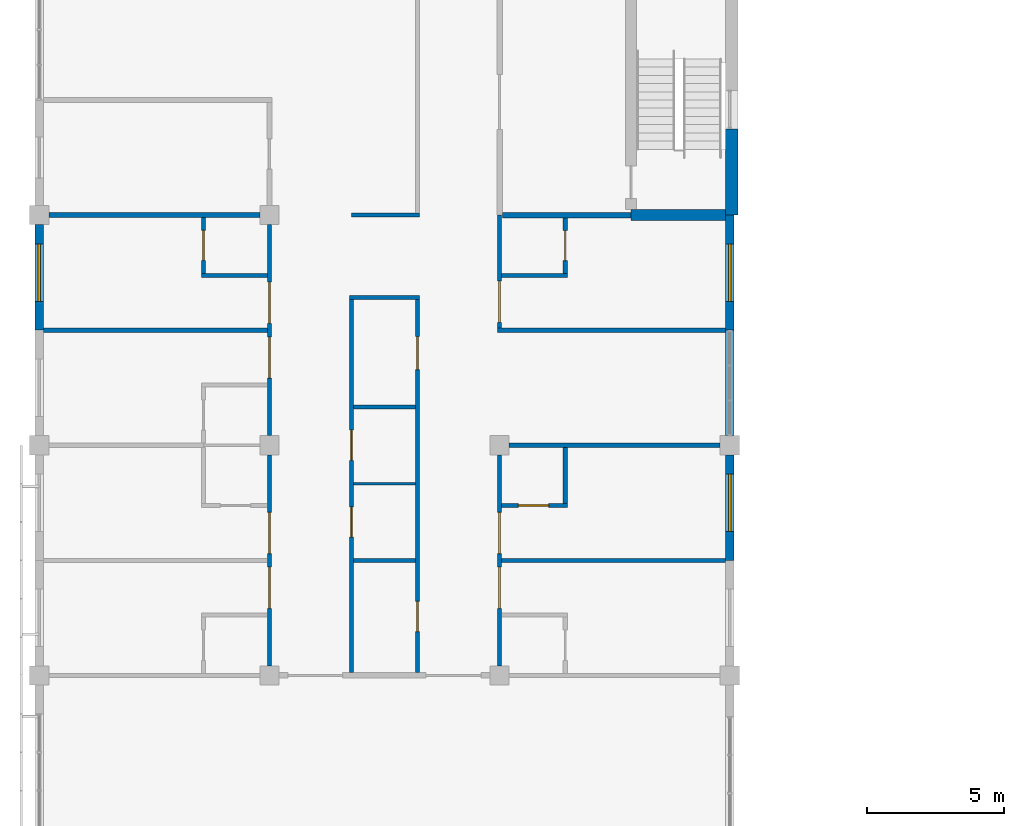
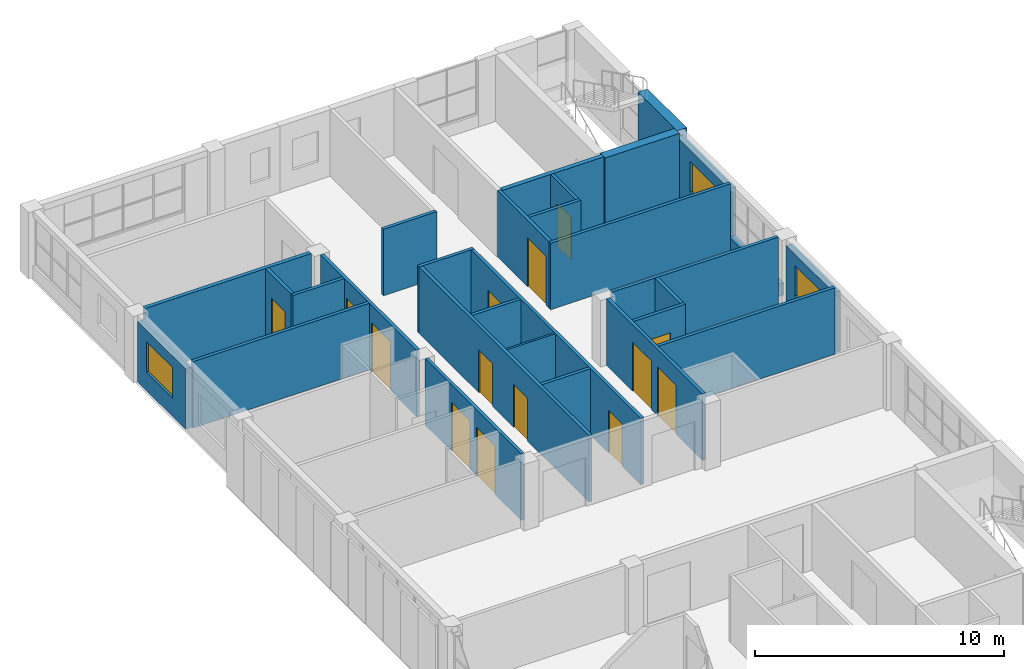
# One storey, part 42 of 61: 29 walls, 14 doors, 3 windows, 17 openings.
"""IFC4 building model written with IfcOpenShell, lengths in metres."""

from ifc_helpers import new_model, si_unit, direction, frame, frame_2d, origin, place, context, subcontext, project, spatial, rectangle, extrude, material, layer, layer_set, type_object, element, fill, save


model = new_model("IFC4")

# Units and contexts
model_context = context("Model", 3, precision=1e-05, world=origin(), true_north=direction((0.0, 1.0)))
body_context = subcontext(model_context, "Body", "Model", "MODEL_VIEW")
ifc_project = project(units=[si_unit("LENGTHUNIT", "METRE"), si_unit("AREAUNIT", "SQUARE_METRE"), si_unit("VOLUMEUNIT", "CUBIC_METRE"), si_unit("PLANEANGLEUNIT", "RADIAN"), si_unit("MASSUNIT", "GRAM", prefix="KILO")], contexts=[model_context])

# Site, building, storey
site_placement = place(None, origin())
site = spatial("IfcSite", under=ifc_project, at=site_placement, CompositionType="ELEMENT")
building_placement = place(site_placement, origin())
building = spatial("IfcBuilding", under=site, at=building_placement, Name="Yavir Park General Hospital", CompositionType="ELEMENT")
storey_placement = place(building_placement, frame((0.0, 0.0, 15.300048828125)))
storey = spatial("IfcBuildingStorey", under=building, at=storey_placement, Name="L03", CompositionType="ELEMENT", Elevation=15.300048828125)

# Walls
ifc_material_1 = material(Name="Double-leaf gypsum board acoustic partition on staggered studs")
ifc_layer_1 = layer(ifc_material_1, 0.175048828125)
ifc_layer_set_1 = layer_set([ifc_layer_1], Name="Double-leaf gypsum board acoustic partition on staggered studs")
wall_type_1 = type_object("IfcWallType", Name="Acoustic partition 175", PredefinedType="PARTITIONING", material=ifc_layer_set_1)
wall_1_placement = place(storey_placement, frame((0.35009765625, 109.199951171875, 0.0), z_axis=(0.0, 0.0, 1.0), x_axis=(1.0, 0.0, 0.0)))
element("IfcWall", 1, at=wall_1_placement, inside=storey, type_object=wall_type_1, Name="AP175 L03-142", PredefinedType="PARTITIONING", context=body_context, shape_type="SweptSolid", body=[
    extrude(rectangle(XDim=7.699951171875, YDim=0.175048828125, at=frame_2d((3.85009765625, 0.0))), origin(), (0.0, 0.0, 1.0), 3.260009765625),
])
ifc_material_2 = material(Name="Double gypsum board fire partition on steel studs", Category="steel")
ifc_layer_2 = layer(ifc_material_2, 0.199951171875)
ifc_layer_set_2 = layer_set([ifc_layer_2], Name="Double gypsum board fire partition on steel studs")
wall_type_2 = type_object("IfcWallType", Name="Fire-rated partition 200, EI 60", PredefinedType="PARTITIONING", material=ifc_layer_set_2)
wall_2_placement = place(storey_placement, frame((16.89990234375, 109.199951171875, 0.0), z_axis=(0.0, 0.0, 1.0), x_axis=(1.0, 0.0, 0.0)))
element("IfcWall", 2, at=wall_2_placement, inside=storey, type_object=wall_type_2, Name="FP20 L03-144", PredefinedType="PARTITIONING", context=body_context, shape_type="SweptSolid", body=[
    extrude(rectangle(XDim=4.7001953125, YDim=0.199951171875, at=frame_2d((2.35009765625, 0.0))), origin(), (0.0, 0.0, 1.0), 3.260009765625),
])
ifc_material_3 = material(Name="Gypsum board partition on steel studs", Category="steel")
ifc_layer_3 = layer(ifc_material_3, 0.10009765625)
ifc_layer_set_3 = layer_set([ifc_layer_3], Name="Gypsum board partition on steel studs")
wall_type_3 = type_object("IfcWallType", Name="Gypsum board partition 100", PredefinedType="PARTITIONING", material=ifc_layer_set_3)
wall_3_placement = place(storey_placement, frame((11.47509765625, 99.39990234375, 0.0), z_axis=(0.0, 0.0, 1.0), x_axis=(1.0, 0.0, 0.0)))
element("IfcWall", 3, at=wall_3_placement, inside=storey, type_object=wall_type_3, Name="P10 L03-131", PredefinedType="PARTITIONING", context=body_context, shape_type="SweptSolid", body=[
    extrude(rectangle(XDim=2.25, YDim=0.10009765625, at=frame_2d((1.125, 0.0))), origin(), (0.0, 0.0, 1.0), 3.260009765625),
])
ifc_material_4 = material(Name="Gypsum board partition on steel studs", Category="steel")
ifc_layer_4 = layer(ifc_material_4, 0.14990234375)
ifc_layer_set_4 = layer_set([ifc_layer_4], Name="Gypsum board partition on steel studs")
wall_type_4 = type_object("IfcWallType", Name="Gypsum board partition 150", PredefinedType="PARTITIONING", material=ifc_layer_set_4)
wall_4_placement = place(storey_placement, frame((11.47509765625, 96.60009765625, 0.0), z_axis=(0.0, 0.0, 1.0), x_axis=(1.0, 0.0, 0.0)))
element("IfcWall", 4, at=wall_4_placement, inside=storey, type_object=wall_type_4, Name="P15 L03-127", PredefinedType="PARTITIONING", context=body_context, shape_type="SweptSolid", body=[
    extrude(rectangle(XDim=2.25, YDim=0.14990234375, at=frame_2d((1.125, 0.0))), origin(), (0.0, 0.0, 1.0), 3.260009765625),
])
wall_5_placement = place(storey_placement, frame((16.875, 96.60009765625, 0.0), z_axis=(0.0, 0.0, 1.0), x_axis=(1.0, 0.0, 0.0)))
element("IfcWall", 5, at=wall_5_placement, inside=storey, type_object=wall_type_4, Name="P15 L03-128", PredefinedType="PARTITIONING", context=body_context, shape_type="SweptSolid", body=[
    extrude(rectangle(XDim=8.175048828125, YDim=0.14990234375, at=frame_2d((4.08740234375, 0.0))), origin(), (0.0, 0.0, 1.0), 3.260009765625),
])

# Wall, opening, door
wall_6_placement = place(storey_placement, frame((16.875, 98.60009765625, 0.0), z_axis=(0.0, 0.0, 1.0), x_axis=(1.0, 0.0, 0.0)))
wall_6 = element("IfcWall", 6, at=wall_6_placement, inside=storey, type_object=wall_type_4, Name="P15 L03-130", PredefinedType="PARTITIONING", context=body_context, shape_type="SweptSolid", body=[
    extrude(rectangle(XDim=2.39990234375, YDim=0.14990234375, at=frame_2d((1.199951171875, 0.0))), origin(), (0.0, 0.0, 1.0), 3.260009765625),
])
opening_1_placement = place(wall_6_placement, frame((0.612548828125, 0.0, 0.0)))
opening_1 = element("IfcOpeningElement", 7, at=opening_1_placement, cuts=wall_6, Name="Opening L03.D089", PredefinedType="OPENING", context=body_context, shape_type="SweptSolid", body=[
    extrude(rectangle(XDim=1.10009765625, YDim=2.10009765625, at=frame_2d((0.550048828125, 1.050048828125))), frame((0.0, 0.0849609375, 0.0), z_axis=(0.0, -1.0, 0.0), x_axis=(1.0, 0.0, 0.0)), (0.0, 0.0, 1.0), 0.169921875),
])
ifc_material_5 = material(Name="Hollow metal frame, solid-core timber leaf", Category="wood")
door_type_1 = type_object("IfcDoorType", Name="Single swing door 1100 x 2100", OperationType="SINGLE_SWING_LEFT", PredefinedType="DOOR", material=ifc_material_5)
door_1_placement = place(opening_1_placement, origin())
door_1 = element("IfcDoor", 8, at=door_1_placement, inside=storey, type_object=door_type_1, Name="L03.D089", OperationType="SINGLE_SWING_LEFT", OverallHeight=2.10009765625, OverallWidth=1.10009765625, PredefinedType="DOOR", context=body_context, shape_type="SweptSolid", body=[
    extrude(rectangle(XDim=1.10009765625, YDim=2.10009765625, at=frame_2d((0.550048828125, 1.050048828125))), frame((0.0, 0.02490234375, 0.0), z_axis=(0.0, -1.0, 0.0), x_axis=(1.0, 0.0, 0.0)), (0.0, 0.0, 1.0), 0.050048828125),
])
fill(opening_1, door_1)

# Walls
wall_7_placement = place(storey_placement, frame((17.14990234375, 100.800048828125, 0.0), z_axis=(0.0, 0.0, 1.0), x_axis=(1.0, 0.0, 0.0)))
element("IfcWall", 9, at=wall_7_placement, inside=storey, type_object=wall_type_4, Name="P15 L03-134", PredefinedType="PARTITIONING", context=body_context, shape_type="SweptSolid", body=[
    extrude(rectangle(XDim=7.7001953125, YDim=0.14990234375, at=frame_2d((3.85009765625, 0.0))), origin(), (0.0, 0.0, 1.0), 3.260009765625),
])
wall_8_placement = place(storey_placement, frame((11.47509765625, 102.199951171875, 0.0), z_axis=(0.0, 0.0, 1.0), x_axis=(1.0, 0.0, 0.0)))
element("IfcWall", 10, at=wall_8_placement, inside=storey, type_object=wall_type_4, Name="P15 L03-135", PredefinedType="PARTITIONING", context=body_context, shape_type="SweptSolid", body=[
    extrude(rectangle(XDim=2.25, YDim=0.14990234375, at=frame_2d((1.125, 0.0))), origin(), (0.0, 0.0, 1.0), 3.260009765625),
])
wall_9_placement = place(storey_placement, frame((0.14990234375, 105.0, 0.0), z_axis=(0.0, 0.0, 1.0), x_axis=(1.0, 0.0, 0.0)))
element("IfcWall", 11, at=wall_9_placement, inside=storey, type_object=wall_type_4, Name="P15 L03-137", PredefinedType="PARTITIONING", context=body_context, shape_type="SweptSolid", body=[
    extrude(rectangle(XDim=8.175048828125, YDim=0.14990234375, at=frame_2d((4.08740234375, 0.0))), origin(), (0.0, 0.0, 1.0), 3.260009765625),
])
wall_10_placement = place(storey_placement, frame((16.72509765625, 105.0, 0.0), z_axis=(0.0, 0.0, 1.0), x_axis=(1.0, 0.0, 0.0)))
element("IfcWall", 12, at=wall_10_placement, inside=storey, type_object=wall_type_4, Name="P15 L03-138", PredefinedType="PARTITIONING", context=body_context, shape_type="SweptSolid", body=[
    extrude(rectangle(XDim=8.324951171875, YDim=0.14990234375, at=frame_2d((4.16259765625, 0.0))), origin(), (0.0, 0.0, 1.0), 3.260009765625),
])
wall_11_placement = place(storey_placement, frame((11.324951171875, 106.199951171875, 0.0), z_axis=(0.0, 0.0, 1.0), x_axis=(1.0, 0.0, 0.0)))
element("IfcWall", 13, at=wall_11_placement, inside=storey, type_object=wall_type_4, Name="P15 L03-139", PredefinedType="PARTITIONING", context=body_context, shape_type="SweptSolid", body=[
    extrude(rectangle(XDim=2.550048828125, YDim=0.14990234375, at=frame_2d((1.27490234375, 0.0))), origin(), (0.0, 0.0, 1.0), 3.260009765625),
])
for number, where, z_axis, x_axis, name in (
    (14, (5.925048828125, 107.0, 0.0), (0.0, 0.0, 1.0), (1.0, 0.0, 0.0), "P15 L03-140"),
    (15, (16.875, 107.0, 0.0), (0.0, 0.0, 1.0), (1.0, 0.0, 0.0), "P15 L03-141"),
):
    element("IfcWall", number, at=place(storey_placement, frame(where, z_axis=z_axis, x_axis=x_axis)), inside=storey, type_object=wall_type_4, Name=name, PredefinedType="PARTITIONING", context=body_context, shape_type="SweptSolid", body=[
        extrude(rectangle(XDim=2.39990234375, YDim=0.14990234375, at=frame_2d((1.199951171875, 0.0))), origin(), (0.0, 0.0, 1.0), 3.260009765625),
    ])
wall_12_placement = place(storey_placement, frame((11.39990234375, 109.199951171875, 0.0), z_axis=(0.0, 0.0, 1.0), x_axis=(1.0, 0.0, 0.0)))
element("IfcWall", 16, at=wall_12_placement, inside=storey, type_object=wall_type_4, Name="P15 L03-143", PredefinedType="PARTITIONING", context=body_context, shape_type="SweptSolid", body=[
    extrude(rectangle(XDim=2.47509765625, YDim=0.14990234375, at=frame_2d((1.237548828125, 0.0))), origin(), (0.0, 0.0, 1.0), 3.260009765625),
])

# Wall, opening, door
wall_13_placement = place(storey_placement, frame((6.0, 107.074951171875, 0.0), z_axis=(0.0, 0.0, 1.0), x_axis=(0.0, 1.0, 0.0)))
wall_13 = element("IfcWall", 17, at=wall_13_placement, inside=storey, type_object=wall_type_4, Name="P15 L03-162", PredefinedType="PARTITIONING", context=body_context, shape_type="SweptSolid", body=[
    extrude(rectangle(XDim=2.03759765625, YDim=0.14990234375, at=frame_2d((1.018798828125, 0.0))), origin(), (0.0, 0.0, 1.0), 3.260009765625),
])
opening_2_placement = place(wall_13_placement, frame((0.46875, 0.0, 0.0)))
opening_2 = element("IfcOpeningElement", 18, at=opening_2_placement, cuts=wall_13, Name="Opening L03.D103", PredefinedType="OPENING", context=body_context, shape_type="SweptSolid", body=[
    extrude(rectangle(XDim=1.10009765625, YDim=2.10009765625, at=frame_2d((0.550048828125, 1.050048828125))), frame((0.0, 0.0849609375, 0.0), z_axis=(0.0, -1.0, 0.0), x_axis=(1.0, 0.0, 0.0)), (0.0, 0.0, 1.0), 0.169921875),
])
door_2_placement = place(opening_2_placement, origin())
door_2 = element("IfcDoor", 19, at=door_2_placement, inside=storey, type_object=door_type_1, Name="L03.D103", OperationType="SINGLE_SWING_LEFT", OverallHeight=2.10009765625, OverallWidth=1.10009765625, PredefinedType="DOOR", context=body_context, shape_type="SweptSolid", body=[
    extrude(rectangle(XDim=1.10009765625, YDim=2.10009765625, at=frame_2d((0.550048828125, 1.050048828125))), frame((0.0, 0.02490234375, 0.0), z_axis=(0.0, -1.0, 0.0), x_axis=(1.0, 0.0, 0.0)), (0.0, 0.0, 1.0), 0.050048828125),
])
fill(opening_2, door_2)

# Wall, openings, doors
wall_14_placement = place(storey_placement, frame((8.39990234375, 92.75, 0.0), z_axis=(0.0, 0.0, 1.0), x_axis=(0.0, 1.0, 0.0)))
wall_14 = element("IfcWall", 20, at=wall_14_placement, inside=storey, type_object=wall_type_4, Name="P15 L03-174", PredefinedType="PARTITIONING", context=body_context, shape_type="SweptSolid", body=[
    extrude(rectangle(XDim=7.699951171875, YDim=0.14990234375, at=frame_2d((3.85009765625, 0.0))), origin(), (0.0, 0.0, 1.0), 3.260009765625),
])
opening_3_placement = place(wall_14_placement, frame((2.10009765625, 0.0, 0.0)))
opening_3 = element("IfcOpeningElement", 21, at=opening_3_placement, cuts=wall_14, Name="Opening L03.D114", PredefinedType="OPENING", context=body_context, shape_type="SweptSolid", body=[
    extrude(rectangle(XDim=1.5, YDim=2.39990234375, at=frame_2d((0.75, 1.199951171875))), frame((0.0, 0.0849609375, 0.0), z_axis=(0.0, -1.0, 0.0), x_axis=(1.0, 0.0, 0.0)), (0.0, 0.0, 1.0), 0.169921875),
])
opening_4_placement = place(wall_14_placement, frame((4.10009765625, 0.0, 0.0)))
opening_4 = element("IfcOpeningElement", 22, at=opening_4_placement, cuts=wall_14, Name="Opening L03.D115", PredefinedType="OPENING", context=body_context, shape_type="SweptSolid", body=[
    extrude(rectangle(XDim=1.5, YDim=2.39990234375, at=frame_2d((0.75, 1.199951171875))), frame((0.0, 0.0849609375, 0.0), z_axis=(0.0, -1.0, 0.0), x_axis=(1.0, 0.0, 0.0)), (0.0, 0.0, 1.0), 0.169921875),
])
ifc_material_6 = material(Name="Solid-core timber leaves, push plates, kick plates", Category="wood")
door_type_2 = type_object("IfcDoorType", Name="Bed door, unequal leaves 1500 x 2400", OperationType="DOUBLE_DOOR_SINGLE_SWING", PredefinedType="DOOR", material=ifc_material_6)
door_3_placement = place(opening_3_placement, origin())
door_3 = element("IfcDoor", 23, at=door_3_placement, inside=storey, type_object=door_type_2, Name="L03.D114", OperationType="SINGLE_SWING_RIGHT", OverallHeight=2.39990234375, OverallWidth=1.5, PredefinedType="DOOR", context=body_context, shape_type="SweptSolid", body=[
    extrude(rectangle(XDim=1.5, YDim=2.39990234375, at=frame_2d((0.75, 1.199951171875))), frame((0.0, 0.030029296875, 0.0), z_axis=(0.0, -1.0, 0.0), x_axis=(1.0, 0.0, 0.0)), (0.0, 0.0, 1.0), 0.06005859375),
])
fill(opening_3, door_3)
door_4_placement = place(opening_4_placement, origin())
door_4 = element("IfcDoor", 24, at=door_4_placement, inside=storey, type_object=door_type_2, Name="L03.D115", OperationType="SINGLE_SWING_RIGHT", OverallHeight=2.39990234375, OverallWidth=1.5, PredefinedType="DOOR", context=body_context, shape_type="SweptSolid", body=[
    extrude(rectangle(XDim=1.5, YDim=2.39990234375, at=frame_2d((0.75, 1.199951171875))), frame((0.0, 0.030029296875, 0.0), z_axis=(0.0, -1.0, 0.0), x_axis=(1.0, 0.0, 0.0)), (0.0, 0.0, 1.0), 0.06005859375),
])
fill(opening_4, door_4)

wall_15_placement = place(storey_placement, frame((8.39990234375, 101.14990234375, 0.0), z_axis=(0.0, 0.0, 1.0), x_axis=(0.0, 1.0, 0.0)))
wall_15 = element("IfcWall", 25, at=wall_15_placement, inside=storey, type_object=wall_type_4, Name="P15 L03-175", PredefinedType="PARTITIONING", context=body_context, shape_type="SweptSolid", body=[
    extrude(rectangle(XDim=7.7001953125, YDim=0.14990234375, at=frame_2d((3.85009765625, 0.0))), origin(), (0.0, 0.0, 1.0), 3.260009765625),
])
opening_5_placement = place(wall_15_placement, frame((2.10009765625, 0.0, 0.0)))
opening_5 = element("IfcOpeningElement", 26, at=opening_5_placement, cuts=wall_15, Name="Opening L03.D116", PredefinedType="OPENING", context=body_context, shape_type="SweptSolid", body=[
    extrude(rectangle(XDim=1.5, YDim=2.39990234375, at=frame_2d((0.75, 1.199951171875))), frame((0.0, 0.0849609375, 0.0), z_axis=(0.0, -1.0, 0.0), x_axis=(1.0, 0.0, 0.0)), (0.0, 0.0, 1.0), 0.169921875),
])
opening_6_placement = place(wall_15_placement, frame((4.10009765625, 0.0, 0.0)))
opening_6 = element("IfcOpeningElement", 27, at=opening_6_placement, cuts=wall_15, Name="Opening L03.D117", PredefinedType="OPENING", context=body_context, shape_type="SweptSolid", body=[
    extrude(rectangle(XDim=1.5, YDim=2.39990234375, at=frame_2d((0.75, 1.199951171875))), frame((0.0, 0.0849609375, 0.0), z_axis=(0.0, -1.0, 0.0), x_axis=(1.0, 0.0, 0.0)), (0.0, 0.0, 1.0), 0.169921875),
])
door_5_placement = place(opening_5_placement, origin())
door_5 = element("IfcDoor", 28, at=door_5_placement, inside=storey, type_object=door_type_2, Name="L03.D116", OperationType="SINGLE_SWING_RIGHT", OverallHeight=2.39990234375, OverallWidth=1.5, PredefinedType="DOOR", context=body_context, shape_type="SweptSolid", body=[
    extrude(rectangle(XDim=1.5, YDim=2.39990234375, at=frame_2d((0.75, 1.199951171875))), frame((0.0, 0.030029296875, 0.0), z_axis=(0.0, -1.0, 0.0), x_axis=(1.0, 0.0, 0.0)), (0.0, 0.0, 1.0), 0.06005859375),
])
fill(opening_5, door_5)
door_6_placement = place(opening_6_placement, origin())
door_6 = element("IfcDoor", 29, at=door_6_placement, inside=storey, type_object=door_type_2, Name="L03.D117", OperationType="SINGLE_SWING_RIGHT", OverallHeight=2.39990234375, OverallWidth=1.5, PredefinedType="DOOR", context=body_context, shape_type="SweptSolid", body=[
    extrude(rectangle(XDim=1.5, YDim=2.39990234375, at=frame_2d((0.75, 1.199951171875))), frame((0.0, 0.030029296875, 0.0), z_axis=(0.0, -1.0, 0.0), x_axis=(1.0, 0.0, 0.0)), (0.0, 0.0, 1.0), 0.06005859375),
])
fill(opening_6, door_6)

wall_16_placement = place(storey_placement, frame((11.39990234375, 92.5, 0.0), z_axis=(0.0, 0.0, 1.0), x_axis=(0.0, 1.0, 0.0)))
wall_16 = element("IfcWall", 30, at=wall_16_placement, inside=storey, type_object=wall_type_4, Name="P15 L03-181", PredefinedType="PARTITIONING", context=body_context, shape_type="SweptSolid", body=[
    extrude(rectangle(XDim=13.625, YDim=0.14990234375, at=frame_2d((6.8125, 0.0))), origin(), (0.0, 0.0, 1.0), 3.260009765625),
])
opening_7_placement = place(wall_16_placement, frame((4.949951171875, 0.0, 0.0)))
opening_7 = element("IfcOpeningElement", 31, at=opening_7_placement, cuts=wall_16, Name="Opening L03.D121", PredefinedType="OPENING", context=body_context, shape_type="SweptSolid", body=[
    extrude(rectangle(XDim=1.10009765625, YDim=2.10009765625, at=frame_2d((0.550048828125, 1.050048828125))), frame((0.0, 0.0849609375, 0.0), z_axis=(0.0, -1.0, 0.0), x_axis=(1.0, 0.0, 0.0)), (0.0, 0.0, 1.0), 0.169921875),
])
opening_8_placement = place(wall_16_placement, frame((7.75, 0.0, 0.0)))
opening_8 = element("IfcOpeningElement", 32, at=opening_8_placement, cuts=wall_16, Name="Opening L03.D122", PredefinedType="OPENING", context=body_context, shape_type="SweptSolid", body=[
    extrude(rectangle(XDim=1.10009765625, YDim=2.10009765625, at=frame_2d((0.550048828125, 1.050048828125))), frame((0.0, 0.0849609375, 0.0), z_axis=(0.0, -1.0, 0.0), x_axis=(1.0, 0.0, 0.0)), (0.0, 0.0, 1.0), 0.169921875),
])
door_7_placement = place(opening_7_placement, origin())
door_7 = element("IfcDoor", 33, at=door_7_placement, inside=storey, type_object=door_type_1, Name="L03.D121", OperationType="SINGLE_SWING_LEFT", OverallHeight=2.10009765625, OverallWidth=1.10009765625, PredefinedType="DOOR", context=body_context, shape_type="SweptSolid", body=[
    extrude(rectangle(XDim=1.10009765625, YDim=2.10009765625, at=frame_2d((0.550048828125, 1.050048828125))), frame((0.0, 0.02490234375, 0.0), z_axis=(0.0, -1.0, 0.0), x_axis=(1.0, 0.0, 0.0)), (0.0, 0.0, 1.0), 0.050048828125),
])
fill(opening_7, door_7)
door_8_placement = place(opening_8_placement, origin())
door_8 = element("IfcDoor", 34, at=door_8_placement, inside=storey, type_object=door_type_1, Name="L03.D122", OperationType="SINGLE_SWING_LEFT", OverallHeight=2.10009765625, OverallWidth=1.10009765625, PredefinedType="DOOR", context=body_context, shape_type="SweptSolid", body=[
    extrude(rectangle(XDim=1.10009765625, YDim=2.10009765625, at=frame_2d((0.550048828125, 1.050048828125))), frame((0.0, 0.02490234375, 0.0), z_axis=(0.0, -1.0, 0.0), x_axis=(1.0, 0.0, 0.0)), (0.0, 0.0, 1.0), 0.050048828125),
])
fill(opening_8, door_8)

wall_17_placement = place(storey_placement, frame((13.800048828125, 92.5, 0.0), z_axis=(0.0, 0.0, 1.0), x_axis=(0.0, 1.0, 0.0)))
wall_17 = element("IfcWall", 35, at=wall_17_placement, inside=storey, type_object=wall_type_4, Name="P15 L03-185", PredefinedType="PARTITIONING", context=body_context, shape_type="SweptSolid", body=[
    extrude(rectangle(XDim=13.625, YDim=0.14990234375, at=frame_2d((6.8125, 0.0))), origin(), (0.0, 0.0, 1.0), 3.260009765625),
])
opening_9_placement = place(wall_17_placement, frame((1.5, 0.0, 0.0)))
opening_9 = element("IfcOpeningElement", 36, at=opening_9_placement, cuts=wall_17, Name="Opening L03.D129", PredefinedType="OPENING", context=body_context, shape_type="SweptSolid", body=[
    extrude(rectangle(XDim=1.10009765625, YDim=2.10009765625, at=frame_2d((0.550048828125, 1.050048828125))), frame((0.0, 0.0849609375, 0.0), z_axis=(0.0, -1.0, 0.0), x_axis=(1.0, 0.0, 0.0)), (0.0, 0.0, 1.0), 0.169921875),
])
opening_10_placement = place(wall_17_placement, frame((11.0625, 0.0, 0.0)))
opening_10 = element("IfcOpeningElement", 37, at=opening_10_placement, cuts=wall_17, Name="Opening L03.D130", PredefinedType="OPENING", context=body_context, shape_type="SweptSolid", body=[
    extrude(rectangle(XDim=1.199951171875, YDim=2.10009765625, at=frame_2d((0.60009765625, 1.050048828125))), frame((0.0, 0.0849609375, 0.0), z_axis=(0.0, -1.0, 0.0), x_axis=(1.0, 0.0, 0.0)), (0.0, 0.0, 1.0), 0.169921875),
])
door_9_placement = place(opening_9_placement, origin())
door_9 = element("IfcDoor", 38, at=door_9_placement, inside=storey, type_object=door_type_1, Name="L03.D129", OperationType="SINGLE_SWING_LEFT", OverallHeight=2.10009765625, OverallWidth=1.10009765625, PredefinedType="DOOR", context=body_context, shape_type="SweptSolid", body=[
    extrude(rectangle(XDim=1.10009765625, YDim=2.10009765625, at=frame_2d((0.550048828125, 1.050048828125))), frame((0.0, 0.02490234375, 0.0), z_axis=(0.0, -1.0, 0.0), x_axis=(1.0, 0.0, 0.0)), (0.0, 0.0, 1.0), 0.050048828125),
])
fill(opening_9, door_9)
ifc_material_7 = material(Name="Hollow metal frame, solid-core timber leaf", Category="wood")
door_type_3 = type_object("IfcDoorType", Name="Single swing door 1200 x 2100", OperationType="SINGLE_SWING_LEFT", PredefinedType="DOOR", material=ifc_material_7)
door_10_placement = place(opening_10_placement, origin())
door_10 = element("IfcDoor", 39, at=door_10_placement, inside=storey, type_object=door_type_3, Name="L03.D130", OperationType="SINGLE_SWING_RIGHT", OverallHeight=2.10009765625, OverallWidth=1.199951171875, PredefinedType="DOOR", context=body_context, shape_type="SweptSolid", body=[
    extrude(rectangle(XDim=1.199951171875, YDim=2.10009765625, at=frame_2d((0.60009765625, 1.050048828125))), frame((0.0, 0.02490234375, 0.0), z_axis=(0.0, -1.0, 0.0), x_axis=(1.0, 0.0, 0.0)), (0.0, 0.0, 1.0), 0.050048828125),
])
fill(opening_10, door_10)

wall_18_placement = place(storey_placement, frame((16.800048828125, 92.75, 0.0), z_axis=(0.0, 0.0, 1.0), x_axis=(0.0, 1.0, 0.0)))
wall_18 = element("IfcWall", 40, at=wall_18_placement, inside=storey, type_object=wall_type_4, Name="P15 L03-197", PredefinedType="PARTITIONING", context=body_context, shape_type="SweptSolid", body=[
    extrude(rectangle(XDim=7.699951171875, YDim=0.14990234375, at=frame_2d((3.85009765625, 0.0))), origin(), (0.0, 0.0, 1.0), 3.260009765625),
])
opening_11_placement = place(wall_18_placement, frame((2.10009765625, 0.0, 0.0)))
opening_11 = element("IfcOpeningElement", 41, at=opening_11_placement, cuts=wall_18, Name="Opening L03.D139", PredefinedType="OPENING", context=body_context, shape_type="SweptSolid", body=[
    extrude(rectangle(XDim=1.5, YDim=2.39990234375, at=frame_2d((0.75, 1.199951171875))), frame((0.0, 0.0849609375, 0.0), z_axis=(0.0, -1.0, 0.0), x_axis=(1.0, 0.0, 0.0)), (0.0, 0.0, 1.0), 0.169921875),
])
opening_12_placement = place(wall_18_placement, frame((4.10009765625, 0.0, 0.0)))
opening_12 = element("IfcOpeningElement", 42, at=opening_12_placement, cuts=wall_18, Name="Opening L03.D140", PredefinedType="OPENING", context=body_context, shape_type="SweptSolid", body=[
    extrude(rectangle(XDim=1.5, YDim=2.39990234375, at=frame_2d((0.75, 1.199951171875))), frame((0.0, 0.0849609375, 0.0), z_axis=(0.0, -1.0, 0.0), x_axis=(1.0, 0.0, 0.0)), (0.0, 0.0, 1.0), 0.169921875),
])
door_11_placement = place(opening_11_placement, origin())
door_11 = element("IfcDoor", 43, at=door_11_placement, inside=storey, type_object=door_type_2, Name="L03.D139", OperationType="SINGLE_SWING_LEFT", OverallHeight=2.39990234375, OverallWidth=1.5, PredefinedType="DOOR", context=body_context, shape_type="SweptSolid", body=[
    extrude(rectangle(XDim=1.5, YDim=2.39990234375, at=frame_2d((0.75, 1.199951171875))), frame((0.0, 0.030029296875, 0.0), z_axis=(0.0, -1.0, 0.0), x_axis=(1.0, 0.0, 0.0)), (0.0, 0.0, 1.0), 0.06005859375),
])
fill(opening_11, door_11)
door_12_placement = place(opening_12_placement, origin())
door_12 = element("IfcDoor", 44, at=door_12_placement, inside=storey, type_object=door_type_2, Name="L03.D140", OperationType="SINGLE_SWING_LEFT", OverallHeight=2.39990234375, OverallWidth=1.5, PredefinedType="DOOR", context=body_context, shape_type="SweptSolid", body=[
    extrude(rectangle(XDim=1.5, YDim=2.39990234375, at=frame_2d((0.75, 1.199951171875))), frame((0.0, 0.030029296875, 0.0), z_axis=(0.0, -1.0, 0.0), x_axis=(1.0, 0.0, 0.0)), (0.0, 0.0, 1.0), 0.06005859375),
])
fill(opening_12, door_12)

# Wall, opening, door
wall_19_placement = place(storey_placement, frame((16.800048828125, 105.074951171875, 0.0), z_axis=(0.0, 0.0, 1.0), x_axis=(0.0, 1.0, 0.0)))
wall_19 = element("IfcWall", 45, at=wall_19_placement, inside=storey, type_object=wall_type_4, Name="P15 L03-198", PredefinedType="PARTITIONING", context=body_context, shape_type="SweptSolid", body=[
    extrude(rectangle(XDim=4.125, YDim=0.14990234375, at=frame_2d((2.0625, 0.0))), origin(), (0.0, 0.0, 1.0), 3.260009765625),
])
opening_13_placement = place(wall_19_placement, frame((0.21240234375, 0.0, 0.0)))
opening_13 = element("IfcOpeningElement", 46, at=opening_13_placement, cuts=wall_19, Name="Opening L03.D141", PredefinedType="OPENING", context=body_context, shape_type="SweptSolid", body=[
    extrude(rectangle(XDim=1.5, YDim=2.39990234375, at=frame_2d((0.75, 1.199951171875))), frame((0.0, 0.0849609375, 0.0), z_axis=(0.0, -1.0, 0.0), x_axis=(1.0, 0.0, 0.0)), (0.0, 0.0, 1.0), 0.169921875),
])
door_13_placement = place(opening_13_placement, origin())
door_13 = element("IfcDoor", 47, at=door_13_placement, inside=storey, type_object=door_type_2, Name="L03.D141", OperationType="SINGLE_SWING_RIGHT", OverallHeight=2.39990234375, OverallWidth=1.5, PredefinedType="DOOR", context=body_context, shape_type="SweptSolid", body=[
    extrude(rectangle(XDim=1.5, YDim=2.39990234375, at=frame_2d((0.75, 1.199951171875))), frame((0.0, 0.030029296875, 0.0), z_axis=(0.0, -1.0, 0.0), x_axis=(1.0, 0.0, 0.0)), (0.0, 0.0, 1.0), 0.06005859375),
])
fill(opening_13, door_13)

# Wall
wall_20_placement = place(storey_placement, frame((19.199951171875, 98.675048828125, 0.0), z_axis=(0.0, 0.0, 1.0), x_axis=(0.0, 1.0, 0.0)))
element("IfcWall", 48, at=wall_20_placement, inside=storey, type_object=wall_type_4, Name="P15 L03-207", PredefinedType="PARTITIONING", context=body_context, shape_type="SweptSolid", body=[
    extrude(rectangle(XDim=2.050048828125, YDim=0.14990234375, at=frame_2d((1.02490234375, 0.0))), origin(), (0.0, 0.0, 1.0), 3.260009765625),
])

# Wall, opening, door
wall_21_placement = place(storey_placement, frame((19.199951171875, 107.074951171875, 0.0), z_axis=(0.0, 0.0, 1.0), x_axis=(0.0, 1.0, 0.0)))
wall_21 = element("IfcWall", 49, at=wall_21_placement, inside=storey, type_object=wall_type_4, Name="P15 L03-208", PredefinedType="PARTITIONING", context=body_context, shape_type="SweptSolid", body=[
    extrude(rectangle(XDim=2.025146484375, YDim=0.14990234375, at=frame_2d((1.0126953125, 0.0))), origin(), (0.0, 0.0, 1.0), 3.260009765625),
])
opening_14_placement = place(wall_21_placement, frame((0.46240234375, 0.0, 0.0)))
opening_14 = element("IfcOpeningElement", 50, at=opening_14_placement, cuts=wall_21, Name="Opening L03.D149", PredefinedType="OPENING", context=body_context, shape_type="SweptSolid", body=[
    extrude(rectangle(XDim=1.10009765625, YDim=2.10009765625, at=frame_2d((0.550048828125, 1.050048828125))), frame((0.0, 0.0849609375, 0.0), z_axis=(0.0, -1.0, 0.0), x_axis=(1.0, 0.0, 0.0)), (0.0, 0.0, 1.0), 0.169921875),
])
door_14_placement = place(opening_14_placement, origin())
door_14 = element("IfcDoor", 51, at=door_14_placement, inside=storey, type_object=door_type_1, Name="L03.D149", OperationType="SINGLE_SWING_RIGHT", OverallHeight=2.10009765625, OverallWidth=1.10009765625, PredefinedType="DOOR", context=body_context, shape_type="SweptSolid", body=[
    extrude(rectangle(XDim=1.10009765625, YDim=2.10009765625, at=frame_2d((0.550048828125, 1.050048828125))), frame((0.0, 0.02490234375, 0.0), z_axis=(0.0, -1.0, 0.0), x_axis=(1.0, 0.0, 0.0)), (0.0, 0.0, 1.0), 0.050048828125),
])
fill(opening_14, door_14)

# Wall, opening, window
ifc_material_8 = material(Name="Autoclaved aerated block, mineral wool and ochre mineral render")
ifc_layer_5 = layer(ifc_material_8, 0.300048828125)
ifc_layer_set_5 = layer_set([ifc_layer_5], Name="Autoclaved aerated block, mineral wool and ochre mineral render")
wall_type_5 = type_object("IfcWallType", Name="Ochre render ward wall 300, E 30", PredefinedType="SOLIDWALL", material=ifc_layer_set_5)
wall_22_placement = place(storey_placement, frame((0.0, 105.0, 0.0), z_axis=(0.0, 0.0, 1.0), x_axis=(0.0, 1.0, 0.0)))
wall_22 = element("IfcWall", 52, at=wall_22_placement, inside=storey, type_object=wall_type_5, Name="XW7 L03-121", PredefinedType="SOLIDWALL", context=body_context, shape_type="SweptSolid", body=[
    extrude(rectangle(XDim=3.85009765625, YDim=0.300048828125, at=frame_2d((1.925048828125, 0.0))), origin(), (0.0, 0.0, 1.0), 2.9599609375),
])
opening_15_placement = place(wall_22_placement, frame((1.050048828125, 0.0, 0.89990234375)))
opening_15 = element("IfcOpeningElement", 53, at=opening_15_placement, cuts=wall_22, Name="Opening WAR", PredefinedType="OPENING", context=body_context, shape_type="SweptSolid", body=[
    extrude(rectangle(XDim=2.10009765625, YDim=1.5, at=frame_2d((1.050048828125, 0.75))), frame((0.0, 0.159912109375, 0.0), z_axis=(0.0, -1.0, 0.0), x_axis=(1.0, 0.0, 0.0)), (0.0, 0.0, 1.0), 0.320068359375),
])
ifc_material_9 = material(Name="Aluminium frame, tilt-and-turn sash with opening restrictor, double glazed unit", Category="aluminium")
window_type = type_object("IfcWindowType", Name="Ward window, restricted opening 2100 x 1500", PartitioningType="DOUBLE_PANEL_VERTICAL", PredefinedType="WINDOW", material=ifc_material_9)
window_1_placement = place(opening_15_placement, origin())
window_1 = element("IfcWindow", 54, at=window_1_placement, inside=storey, type_object=window_type, Name="WAR L03-059", OverallHeight=1.5, OverallWidth=2.10009765625, PartitioningType="DOUBLE_PANEL_VERTICAL", PredefinedType="WINDOW", context=body_context, shape_type="SweptSolid", body=[
    extrude(rectangle(XDim=2.10009765625, YDim=1.5, at=frame_2d((1.050048828125, 0.75))), frame((0.0, 0.050048828125, 0.0), z_axis=(0.0, -1.0, 0.0), x_axis=(1.0, 0.0, 0.0)), (0.0, 0.0, 1.0), 0.10009765625),
])
fill(opening_15, window_1)

wall_23_placement = place(storey_placement, frame((25.199951171875, 96.60009765625, 0.0), z_axis=(0.0, 0.0, 1.0), x_axis=(0.0, 1.0, 0.0)))
wall_23 = element("IfcWall", 55, at=wall_23_placement, inside=storey, type_object=wall_type_5, Name="XW7 L03-143", PredefinedType="SOLIDWALL", context=body_context, shape_type="SweptSolid", body=[
    extrude(rectangle(XDim=3.849853515625, YDim=0.300048828125, at=frame_2d((1.9248046875, 0.0))), origin(), (0.0, 0.0, 1.0), 2.9599609375),
])
opening_16_placement = place(wall_23_placement, frame((1.050048828125, 0.0, 0.89990234375)))
opening_16 = element("IfcOpeningElement", 56, at=opening_16_placement, cuts=wall_23, Name="Opening WAR", PredefinedType="OPENING", context=body_context, shape_type="SweptSolid", body=[
    extrude(rectangle(XDim=2.10009765625, YDim=1.5, at=frame_2d((1.050048828125, 0.75))), frame((0.0, 0.159912109375, 0.0), z_axis=(0.0, -1.0, 0.0), x_axis=(1.0, 0.0, 0.0)), (0.0, 0.0, 1.0), 0.320068359375),
])
window_2_placement = place(opening_16_placement, origin())
window_2 = element("IfcWindow", 57, at=window_2_placement, inside=storey, type_object=window_type, Name="WAR L03-069", OverallHeight=1.5, OverallWidth=2.10009765625, PartitioningType="DOUBLE_PANEL_VERTICAL", PredefinedType="WINDOW", context=body_context, shape_type="SweptSolid", body=[
    extrude(rectangle(XDim=2.10009765625, YDim=1.5, at=frame_2d((1.050048828125, 0.75))), frame((0.0, 0.050048828125, 0.0), z_axis=(0.0, -1.0, 0.0), x_axis=(1.0, 0.0, 0.0)), (0.0, 0.0, 1.0), 0.10009765625),
])
fill(opening_16, window_2)

# Wall
wall_24_placement = place(storey_placement, frame((25.199951171875, 101.14990234375, 0.0), z_axis=(0.0, 0.0, 1.0), x_axis=(0.0, 1.0, 0.0)))
element("IfcWall", 58, at=wall_24_placement, inside=storey, type_object=wall_type_5, Name="XW7 L03-144", PredefinedType="SOLIDWALL", context=body_context, shape_type="SweptSolid", body=[
    extrude(rectangle(XDim=3.85009765625, YDim=0.300048828125, at=frame_2d((1.925048828125, 0.0))), origin(), (0.0, 0.0, 1.0), 0.599853515625),
])

# Wall, opening, window
wall_25_placement = place(storey_placement, frame((25.199951171875, 105.0, 0.0), z_axis=(0.0, 0.0, 1.0), x_axis=(0.0, 1.0, 0.0)))
wall_25 = element("IfcWall", 59, at=wall_25_placement, inside=storey, type_object=wall_type_5, Name="XW7 L03-145", PredefinedType="SOLIDWALL", context=body_context, shape_type="SweptSolid", body=[
    extrude(rectangle(XDim=4.199951171875, YDim=0.300048828125, at=frame_2d((2.10009765625, 0.0))), origin(), (0.0, 0.0, 1.0), 2.9599609375),
])
opening_17_placement = place(wall_25_placement, frame((1.050048828125, 0.0, 0.89990234375)))
opening_17 = element("IfcOpeningElement", 60, at=opening_17_placement, cuts=wall_25, Name="Opening WAR", PredefinedType="OPENING", context=body_context, shape_type="SweptSolid", body=[
    extrude(rectangle(XDim=2.10009765625, YDim=1.5, at=frame_2d((1.050048828125, 0.75))), frame((0.0, 0.159912109375, 0.0), z_axis=(0.0, -1.0, 0.0), x_axis=(1.0, 0.0, 0.0)), (0.0, 0.0, 1.0), 0.320068359375),
])
window_3_placement = place(opening_17_placement, origin())
window_3 = element("IfcWindow", 61, at=window_3_placement, inside=storey, type_object=window_type, Name="WAR L03-070", OverallHeight=1.5, OverallWidth=2.10009765625, PartitioningType="DOUBLE_PANEL_VERTICAL", PredefinedType="WINDOW", context=body_context, shape_type="SweptSolid", body=[
    extrude(rectangle(XDim=2.10009765625, YDim=1.5, at=frame_2d((1.050048828125, 0.75))), frame((0.0, 0.050048828125, 0.0), z_axis=(0.0, -1.0, 0.0), x_axis=(1.0, 0.0, 0.0)), (0.0, 0.0, 1.0), 0.10009765625),
])
fill(opening_17, window_3)

# Walls
ifc_material_10 = material(Name="Concrete C35/45", Category="concrete")
ifc_layer_6 = layer(ifc_material_10, 0.39990234375)
ifc_layer_set_6 = layer_set([ifc_layer_6], Name="Concrete C35/45")
wall_type_6 = type_object("IfcWallType", Name="Reinforced concrete core wall 400, REI 150", PredefinedType="SHEAR", material=ifc_layer_set_6)
wall_26_placement = place(storey_placement, frame((21.60009765625, 109.199951171875, 0.0), z_axis=(0.0, 0.0, 1.0), x_axis=(1.0, 0.0, 0.0)))
element("IfcWall", 62, at=wall_26_placement, inside=storey, type_object=wall_type_6, Name="CW40 L03-145", PredefinedType="SHEAR", context=body_context, shape_type="SweptSolid", body=[
    extrude(rectangle(XDim=3.449951171875, YDim=0.39990234375, at=frame_2d((1.72509765625, 0.0))), origin(), (0.0, 0.0, 1.0), 3.260009765625),
])
ifc_material_11 = material(Name="Concrete C30/37 precast panel with 150 mm mineral wool insulation", Category="concrete")
ifc_layer_7 = layer(ifc_material_11, 0.449951171875)
ifc_layer_set_7 = layer_set([ifc_layer_7], Name="Concrete C30/37 precast panel with 150 mm mineral wool insulation")
wall_type_7 = type_object("IfcWallType", Name="Stair enclosure wall 450, REI 150", PredefinedType="SOLIDWALL", material=ifc_layer_set_7)
wall_27_placement = place(storey_placement, frame((25.27490234375, 109.199951171875, 0.0), z_axis=(0.0, 0.0, 1.0), x_axis=(0.0, 1.0, 0.0)))
element("IfcWall", 63, at=wall_27_placement, inside=storey, type_object=wall_type_7, Name="XW6 L03-146", PredefinedType="SOLIDWALL", context=body_context, shape_type="SweptSolid", body=[
    extrude(rectangle(XDim=3.150146484375, YDim=0.449951171875, at=frame_2d((1.5751953125, 0.0))), origin(), (0.0, 0.0, 1.0), 3.260009765625),
])

save(model, "model.ifc")
